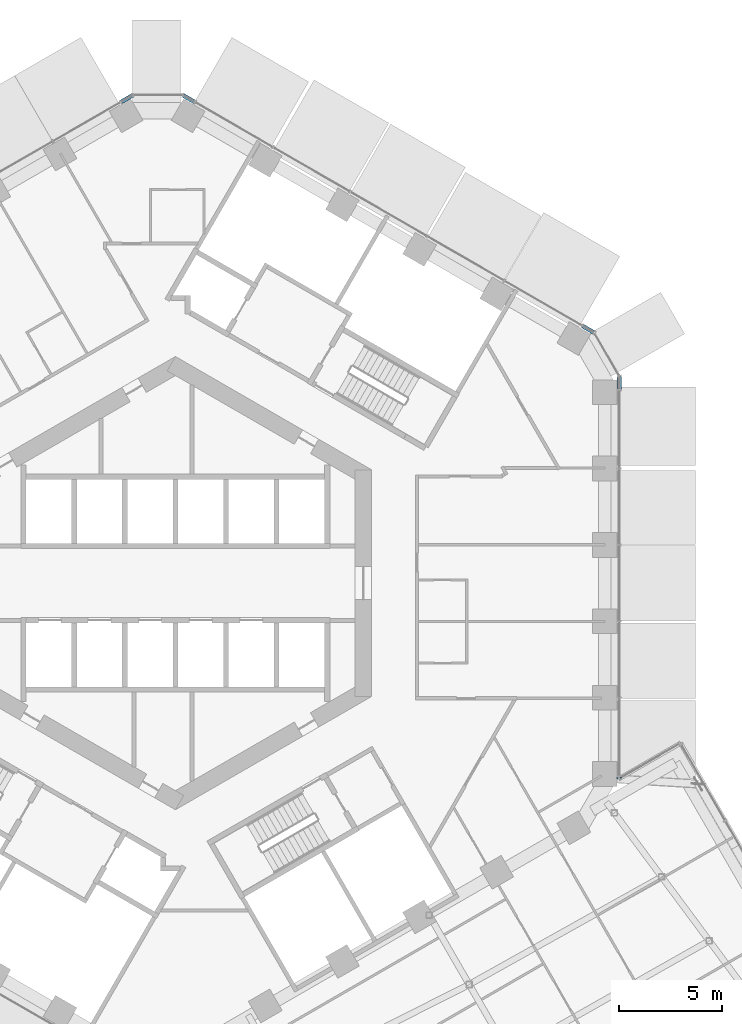
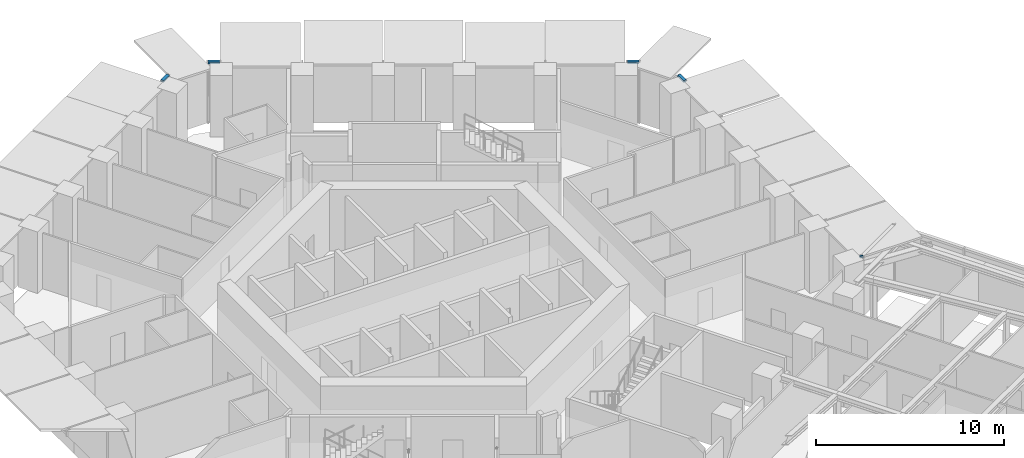
# One storey, part 10 of 28: 5 members, 3 elements without a shape of their own.
"""IFC4 building model written with IfcOpenShell, lengths in metres."""

import ifcopenshell
import ifcopenshell.guid

model = None  # the IFC model being written
_history = None  # IfcOwnerHistory: only IFC2X3 demands one
_inside = {}  # id of a spatial element -> (the spatial element, [elements in it])
_under = {}  # id of a project, library or spatial element -> (it, [spatial elements below it])
_declared = {}  # id of a project -> (the project, [libraries it declares])
_typed = {}  # id of a type object -> (the type object, [elements of that type])
_made_of = {}  # id of a material, layer set ... -> (it, [elements and type objects made of it])


def new_model(schema):
    """Start an empty IFC model of exactly this schema.

    Asked for "IFC4X3", IfcOpenShell would pick the latest addendum, in which some entities
    have other attributes; the version numbers below select the first issue.
    IFC2X3 requires an IfcOwnerHistory on every rooted entity: one is made here for all.
    """
    global model, _history
    if schema == "IFC4X3":
        model = ifcopenshell.file(schema_version=(4, 3, 0, 0))
    else:
        model = ifcopenshell.file(schema=schema)
    _inside.clear()
    _under.clear()
    _declared.clear()
    _typed.clear()
    _made_of.clear()
    _history = None
    if model.schema == "IFC2X3":
        org = make("IfcOrganization", Name="unknown")
        user = make(
            "IfcPersonAndOrganization",
            ThePerson=make("IfcPerson", FamilyName="unknown"),
            TheOrganization=org,
        )
        app = make(
            "IfcApplication",
            ApplicationDeveloper=org,
            Version="unknown",
            ApplicationFullName="unknown",
            ApplicationIdentifier="unknown",
        )
        _history = make(
            "IfcOwnerHistory",
            OwningUser=user,
            OwningApplication=app,
            ChangeAction="ADDED",
            CreationDate=0,
        )
    return model


def make(cls, **values):
    """One entity of the class cls with the attributes given. An attribute that is None is left unset."""
    return model.create_entity(
        cls, **{name: value for name, value in values.items() if value is not None}
    )


def rooted(cls, **values):
    """An entity with a GlobalId (a new one), such as an element, a storey or a relation."""
    return make(cls, GlobalId=ifcopenshell.guid.new(), OwnerHistory=_history, **values)


def si_unit(unit_type, name, prefix=None):
    """IfcSIUnit, for example si_unit("LENGTHUNIT", "METRE", prefix="MILLI")."""
    return make("IfcSIUnit", UnitType=unit_type, Prefix=prefix, Name=name)


def assignment(units):
    """IfcUnitAssignment: the units of a project."""
    return None if units is None else make("IfcUnitAssignment", Units=units)


def point(xyz):
    """IfcCartesianPoint."""
    return None if xyz is None else make("IfcCartesianPoint", Coordinates=xyz)


def direction(xyz):
    """IfcDirection."""
    return None if xyz is None else make("IfcDirection", DirectionRatios=xyz)


def frame(location, z_axis=None, x_axis=None):
    """IfcAxis2Placement3D, a coordinate frame: its origin and axes. An axis left out is left unset."""
    return make(
        "IfcAxis2Placement3D",
        Location=point(location),
        Axis=direction(z_axis),
        RefDirection=direction(x_axis),
    )


def frame_2d(location, x_axis=None):
    """IfcAxis2Placement2D, a coordinate frame in the plane: its origin and x axis."""
    return make(
        "IfcAxis2Placement2D", Location=point(location), RefDirection=direction(x_axis)
    )


def origin():
    """The frame at (0, 0, 0) with its axes left unset."""
    return frame((0.0, 0.0, 0.0))


def origin_2d():
    """The frame at (0, 0) in the plane with its x axis left unset."""
    return frame_2d((0.0, 0.0))


def place(relative_to, where):
    """IfcLocalPlacement: puts the frame where relative to a parent placement (None: the world)."""
    return make(
        "IfcLocalPlacement", PlacementRelTo=relative_to, RelativePlacement=where
    )


def context(
    kind, dimensions, precision=None, world=None, true_north=None, identifier=None
):
    """IfcGeometricRepresentationContext, for example the 3D "Model" context."""
    return make(
        "IfcGeometricRepresentationContext",
        ContextIdentifier=identifier,
        ContextType=kind,
        CoordinateSpaceDimension=dimensions,
        Precision=precision,
        WorldCoordinateSystem=world,
        TrueNorth=true_north,
    )


def subcontext(parent, identifier, kind, view, scale=None):
    """IfcGeometricRepresentationSubContext, for example "Body" below "Model"."""
    return make(
        "IfcGeometricRepresentationSubContext",
        ContextIdentifier=identifier,
        ContextType=kind,
        ParentContext=parent,
        TargetScale=scale,
        TargetView=view,
    )


def project(units=None, contexts=None):
    """IfcProject with its units and contexts."""
    return rooted(
        "IfcProject",
        Name="project",
        RepresentationContexts=contexts,
        UnitsInContext=assignment(units),
    )


def spatial(cls, under=None, at=None, **own):
    """A site, building, storey or space (cls), placed at a placement, below another one or the project."""
    s = rooted(cls, ObjectPlacement=at, **own)
    if under is not None:
        _under.setdefault(under.id(), (under, []))[1].append(s)
    return s


def profile(cls, at=None, kind="AREA", **sizes):
    """A parametric profile (cls). Its sizes go by their IFC names, for example OverallWidth=200.0."""
    return make(cls, ProfileType=kind, Position=at, **sizes)


def rectangle(**sizes):
    """IfcRectangleProfileDef."""
    return profile("IfcRectangleProfileDef", **sizes)


def extrude(swept, where, along, depth):
    """IfcExtrudedAreaSolid: the profile swept, set in the frame where, extruded along a direction by depth."""
    return make(
        "IfcExtrudedAreaSolid",
        SweptArea=swept,
        Position=where,
        ExtrudedDirection=direction(along),
        Depth=depth,
    )


def shape(context_of_items, identifier, shape_type, items):
    """IfcShapeRepresentation: the items that make up one representation, for example the "Body"."""
    return make(
        "IfcShapeRepresentation",
        ContextOfItems=context_of_items,
        RepresentationIdentifier=identifier,
        RepresentationType=shape_type,
        Items=items,
    )


def material(Name=None, Category=None):
    """IfcMaterial."""
    return make("IfcMaterial", Name=Name, Category=Category)


def layer(
    of_material, thickness, ventilated=None, Name=None, Category=None, Priority=None
):
    """IfcMaterialLayer: one layer of a wall or slab, of a material (None: an air gap)."""
    return make(
        "IfcMaterialLayer",
        Material=of_material,
        LayerThickness=thickness,
        IsVentilated=ventilated,
        Name=Name,
        Category=Category,
        Priority=Priority,
    )


def layer_set(layers, Name=None):
    """IfcMaterialLayerSet."""
    return make("IfcMaterialLayerSet", MaterialLayers=layers, LayerSetName=Name)


def material_profile(
    of_material, cross_section, Name=None, Category=None, Priority=None
):
    """IfcMaterialProfile: a cross section and its material."""
    return make(
        "IfcMaterialProfile",
        Name=Name,
        Material=of_material,
        Profile=cross_section,
        Priority=Priority,
        Category=Category,
    )


def profile_set(profiles, Name=None, composite=None):
    """IfcMaterialProfileSet."""
    return make(
        "IfcMaterialProfileSet",
        Name=Name,
        MaterialProfiles=profiles,
        CompositeProfile=composite,
    )


def made_of(thing, what):
    """Note that an element or type object is made of a material, layer set ...; save() writes the relation."""
    if what is not None:
        _made_of.setdefault(what.id(), (what, []))[1].append(thing)
    return thing


def type_object(cls, material=None, **own):
    """A type object (cls), such as IfcWallType, which elements share."""
    return made_of(rooted(cls, **own), material)


def element(
    cls,
    number,
    at=None,
    inside=None,
    cuts=None,
    type_object=None,
    material=None,
    context=None,
    identifier="Body",
    shape_type=None,
    held_by="IfcProductDefinitionShape",
    body=None,
    shapes=None,
    **own,
):
    """One element of the class cls, such as IfcWall. Its Tag is "e" and its number.

    at: its placement. inside: the storey or other place that contains it. cuts: it is an
    opening in that element (IfcRelVoidsElement). A single representation is given by context,
    identifier, shape_type and body (its items); several are given by shapes. held_by: the class
    of the entity that holds the representations. save() writes the other relations.
    """
    e = rooted(cls, Tag="e%d" % number, ObjectPlacement=at, **own)
    if body is not None:
        shapes = [shape(context, identifier, shape_type, body)]
    if shapes is not None:
        e.Representation = make(held_by, Representations=shapes)
    if inside is not None:
        _inside.setdefault(inside.id(), (inside, []))[1].append(e)
    if cuts is not None:
        rooted(
            "IfcRelVoidsElement", RelatingBuildingElement=cuts, RelatedOpeningElement=e
        )
    if type_object is not None:
        _typed.setdefault(type_object.id(), (type_object, []))[1].append(e)
    return made_of(e, material)


def aggregate(whole, parts):
    """IfcRelAggregates: a whole, such as a stair, and the parts it consists of."""
    return rooted("IfcRelAggregates", RelatingObject=whole, RelatedObjects=parts)


def save(model, path):
    """Write the relations noted so far, then the file.

    IfcRelAggregates (storeys below a building ...), IfcRelContainedInSpatialStructure (elements
    in a storey), IfcRelDefinesByType, IfcRelAssociatesMaterial and IfcRelDeclares: one each for
    every whole, place, type object, material and project.
    """
    for whole, parts in _under.values():
        aggregate(whole, parts)
    for where, things in _inside.values():
        rooted(
            "IfcRelContainedInSpatialStructure",
            RelatedElements=things,
            RelatingStructure=where,
        )
    for kind, things in _typed.values():
        rooted("IfcRelDefinesByType", RelatedObjects=things, RelatingType=kind)
    for what, things in _made_of.values():
        rooted("IfcRelAssociatesMaterial", RelatedObjects=things, RelatingMaterial=what)
    for by, libraries in _declared.values():
        rooted("IfcRelDeclares", RelatingContext=by, RelatedDefinitions=libraries)
    model.write(path)


model = new_model("IFC4")

# Units and contexts
model_context = context("Model", 3, precision=1e-05, world=origin(), true_north=direction((0.0, 1.0)))
body_context = subcontext(model_context, "Body", "Model", "MODEL_VIEW")
ifc_project = project(units=[si_unit("LENGTHUNIT", "METRE"), si_unit("AREAUNIT", "SQUARE_METRE"), si_unit("VOLUMEUNIT", "CUBIC_METRE"), si_unit("PLANEANGLEUNIT", "RADIAN"), si_unit("MASSUNIT", "GRAM", prefix="KILO")], contexts=[model_context])

# Site, building, storey
site_placement = place(None, origin())
site = spatial("IfcSite", under=ifc_project, at=site_placement, CompositionType="ELEMENT")
building_placement = place(site_placement, origin())
building = spatial("IfcBuilding", under=site, at=building_placement, Name="Ayvan Gate Tower", CompositionType="ELEMENT")
storey_placement = place(building_placement, frame((0.0, 0.0, 74.300048828125)))
storey = spatial("IfcBuildingStorey", under=building, at=storey_placement, Name="L19", CompositionType="ELEMENT", Elevation=74.300048828125)

# Curtain wall, member
ifc_material = material(Name="Bronze anodised aluminium", Category="aluminium")
ifc_layer = layer(ifc_material, 0.199951171875)
ifc_layer_set = layer_set([ifc_layer], Name="Bronze anodised aluminium")
curtain_wall_type = type_object("IfcCurtainWallType", Name="Stick curtain wall CW-6", PredefinedType="NOTDEFINED", material=ifc_layer_set)
curtain_wall_1_placement = place(storey_placement, origin())
curtain_wall_1 = element("IfcCurtainWall", 1, at=curtain_wall_1_placement, inside=storey, type_object=curtain_wall_type, Name="Stick curtain wall CW-6 L19", PredefinedType="NOTDEFINED")
ifc_material_profile = material_profile(ifc_material, rectangle(XDim=0.199951171875, YDim=0.1201171875, at=origin_2d()), Name="Stick curtain wall CW-6 transom 200 x 120")
ifc_profile_set = profile_set([ifc_material_profile], Name="Bronze anodised aluminium")
member_type = type_object("IfcMemberType", Name="Stick curtain wall CW-6 transom 200 x 120", PredefinedType="USERDEFINED", material=ifc_profile_set)
member_1_placement = place(storey_placement, frame((21.458984375, -9.472412109375, 3.93994140625), z_axis=(0.258121640407, 0.966112425525, 0.0), x_axis=(-0.966112425525, 0.258121640407, 0.0)))
member_1 = element("IfcMember", 2, at=member_1_placement, type_object=member_type, Name="CW-6 transom 1", ObjectType="TRANSOM", PredefinedType="USERDEFINED", context=body_context, shape_type="SweptSolid", body=[
    extrude(rectangle(XDim=0.199951171875, YDim=0.1201171875, at=origin_2d()), origin(), (0.0, 0.0, 1.0), 0.099365234375),
])
aggregate(curtain_wall_1, [member_1])

# Curtain wall, members
curtain_wall_2_placement = place(storey_placement, origin())
curtain_wall_2 = element("IfcCurtainWall", 3, at=curtain_wall_2_placement, inside=storey, type_object=curtain_wall_type, Name="Stick curtain wall CW-6 L19", PredefinedType="NOTDEFINED")
member_2_placement = place(storey_placement, frame((21.484619140625, 9.37646484375, 3.93994140625), z_axis=(0.0, 1.0, 0.0), x_axis=(-1.0, 0.0, 0.0)))
member_2 = element("IfcMember", 4, at=member_2_placement, type_object=member_type, Name="CW-6 transom 1", ObjectType="TRANSOM", PredefinedType="USERDEFINED", context=body_context, shape_type="SweptSolid", body=[
    extrude(rectangle(XDim=0.199951171875, YDim=0.1201171875, at=origin_2d()), origin(), (0.0, 0.0, 1.0), 0.625),
])
member_3_placement = place(storey_placement, frame((20.255615234375, 12.130126953125, 3.93994140625), z_axis=(-0.866022959057, 0.500004234368, 0.0), x_axis=(-0.500004234368, -0.866022959057, 0.0)))
member_3 = element("IfcMember", 5, at=member_3_placement, type_object=member_type, Name="CW-6 transom 2", ObjectType="TRANSOM", PredefinedType="USERDEFINED", context=body_context, shape_type="SweptSolid", body=[
    extrude(rectangle(XDim=0.199951171875, YDim=0.1201171875, at=origin_2d()), origin(), (0.0, 0.0, 1.0), 0.625),
])
aggregate(curtain_wall_2, [member_2, member_3])

curtain_wall_3_placement = place(storey_placement, origin())
curtain_wall_3 = element("IfcCurtainWall", 6, at=curtain_wall_3_placement, inside=storey, type_object=curtain_wall_type, Name="Stick curtain wall CW-6 L19", PredefinedType="NOTDEFINED")
member_4_placement = place(storey_placement, frame((0.91845703125, 23.29443359375, 3.93994140625), z_axis=(-0.866022959057, 0.500004234368, 0.0), x_axis=(-0.500004234368, -0.866022959057, 0.0)))
member_4 = element("IfcMember", 7, at=member_4_placement, type_object=member_type, Name="CW-6 transom 1", ObjectType="TRANSOM", PredefinedType="USERDEFINED", context=body_context, shape_type="SweptSolid", body=[
    extrude(rectangle(XDim=0.199951171875, YDim=0.1201171875, at=origin_2d()), origin(), (0.0, 0.0, 1.0), 0.625),
])
member_5_placement = place(storey_placement, frame((-2.080810546875, 23.60693359375, 3.93994140625), z_axis=(-0.866022959057, -0.500004234368, 0.0), x_axis=(0.500004234368, -0.866022959057, 0.0)))
member_5 = element("IfcMember", 8, at=member_5_placement, type_object=member_type, Name="CW-6 transom 2", ObjectType="TRANSOM", PredefinedType="USERDEFINED", context=body_context, shape_type="SweptSolid", body=[
    extrude(rectangle(XDim=0.199951171875, YDim=0.1201171875, at=origin_2d()), origin(), (0.0, 0.0, 1.0), 0.625),
])
aggregate(curtain_wall_3, [member_4, member_5])

save(model, "model.ifc")
